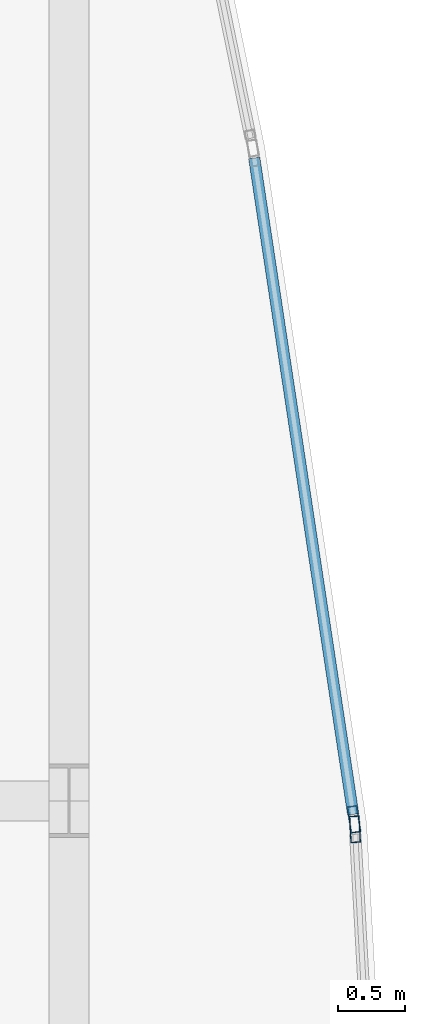
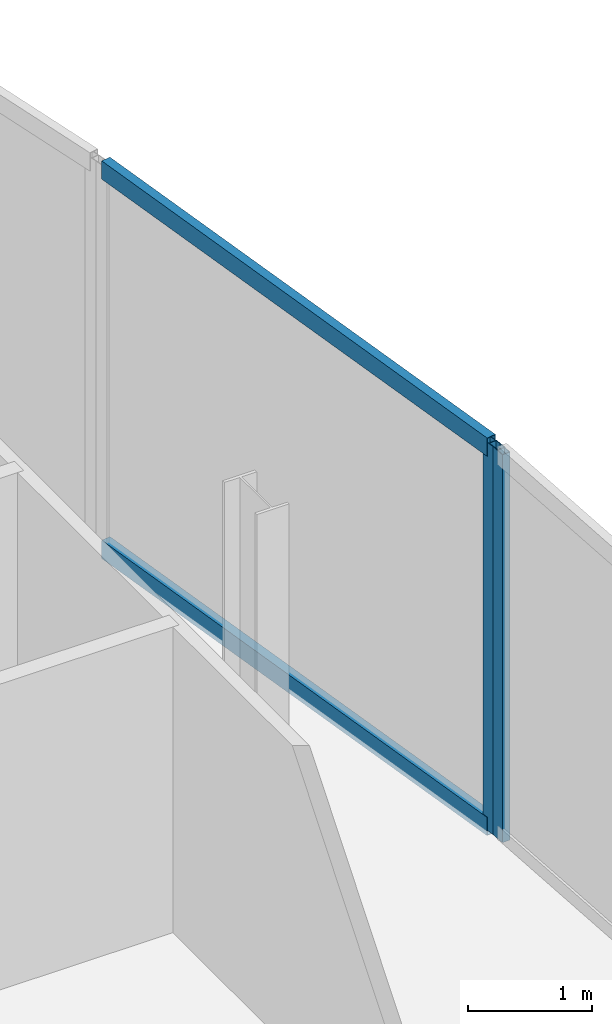
# One storey, part 24 of 36: 4 members, 2 elements without a shape of their own.
"""IFC4 building model written with IfcOpenShell, lengths in metres."""

from ifc_helpers import new_model, si_unit, direction, frame, origin, origin_2d, place, context, subcontext, project, spatial, hollow_rectangle, extrude, material, material_profile, profile_set, type_object, element, aggregate, save


model = new_model("IFC4")

# Units and contexts
model_context = context("Model", 3, precision=1e-05, world=origin(), true_north=direction((0.0, 1.0)))
body_context = subcontext(model_context, "Body", "Model", "MODEL_VIEW")
ifc_project = project(units=[si_unit("LENGTHUNIT", "METRE"), si_unit("AREAUNIT", "SQUARE_METRE"), si_unit("VOLUMEUNIT", "CUBIC_METRE"), si_unit("PLANEANGLEUNIT", "RADIAN"), si_unit("MASSUNIT", "GRAM", prefix="KILO")], contexts=[model_context])

# Site, building, storey
site_placement = place(None, origin())
site = spatial("IfcSite", under=ifc_project, at=site_placement, CompositionType="ELEMENT")
building_placement = place(site_placement, origin())
building = spatial("IfcBuilding", under=site, at=building_placement, Name="Khoronbel Lancet Exchange", CompositionType="ELEMENT")
storey_placement = place(building_placement, frame((0.0, 0.0, 57.800048828125)))
storey = spatial("IfcBuildingStorey", under=building, at=storey_placement, Name="L13", CompositionType="ELEMENT", Elevation=57.800048828125)

# Curtain wall, member
ifc_material_1 = material(Name="Low-E Solar Control Insulating Glass", Category="glass")
curtain_wall_type = type_object("IfcCurtainWallType", Name="CW-4", PredefinedType="NOTDEFINED", material=ifc_material_1)
curtain_wall_1_placement = place(storey_placement, origin())
curtain_wall_1 = element("IfcCurtainWall", 1, at=curtain_wall_1_placement, inside=storey, type_object=curtain_wall_type, Name="Unitised curtain wall CW-L13-E18", PredefinedType="NOTDEFINED")
ifc_material_2 = material(Name="Bronze-Anodised Aluminium 6063-T6", Category="aluminium")
ifc_material_profile_1 = material_profile(ifc_material_2, hollow_rectangle(XDim=0.074951171875, YDim=0.199951171875, WallThickness=0.0048828125, at=origin_2d()), Name="ALU MULLION 75x200")
ifc_profile_set_1 = profile_set([ifc_material_profile_1], Name="Bronze-Anodised Aluminium 6063-T6")
member_type_1 = type_object("IfcMemberType", Name="MEM-CWM2", PredefinedType="MULLION", material=ifc_profile_set_1)
member_1_placement = place(storey_placement, frame((73.76806640625, 35.561279296875, 0.0), z_axis=(0.0, 0.0, 1.0), x_axis=(0.988825213041, 0.149079502463, 0.0)))
member_1 = element("IfcMember", 2, at=member_1_placement, type_object=member_type_1, Name="CW4 mullion 2", PredefinedType="MULLION", context=body_context, shape_type="SweptSolid", body=[
    extrude(hollow_rectangle(XDim=0.074951171875, YDim=0.199951171875, WallThickness=0.0048828125, at=origin_2d()), origin(), (0.0, 0.0, 1.0), 3.820068359375),
])

curtain_wall_2_placement = place(storey_placement, origin())
curtain_wall_2 = element("IfcCurtainWall", 3, at=curtain_wall_2_placement, inside=storey, type_object=curtain_wall_type, Name="Unitised curtain wall CW-L13-E19", PredefinedType="NOTDEFINED")
member_2_placement = place(storey_placement, frame((73.775634765625, 35.486572265625, 0.0), z_axis=(0.0, 0.0, 1.0), x_axis=(0.998480930794, 0.055098374212, 0.0)))
member_2 = element("IfcMember", 4, at=member_2_placement, type_object=member_type_1, Name="CW4 mullion 1", PredefinedType="MULLION", context=body_context, shape_type="SweptSolid", body=[
    extrude(hollow_rectangle(XDim=0.074951171875, YDim=0.199951171875, WallThickness=0.0048828125, at=origin_2d()), origin(), (0.0, 0.0, 1.0), 3.820068359375),
])
aggregate(curtain_wall_2, [member_2])

# Member
ifc_material_profile_2 = material_profile(ifc_material_2, hollow_rectangle(XDim=0.0849609375, YDim=0.179931640625, WallThickness=0.0048828125, at=origin_2d()), Name="ALU TRANSOM 85x180")
ifc_profile_set_2 = profile_set([ifc_material_profile_2], Name="Bronze-Anodised Aluminium 6063-T6")
member_type_2 = type_object("IfcMemberType", Name="MEM-CWT1", PredefinedType="USERDEFINED", material=ifc_profile_set_2)
member_3_placement = place(storey_placement, frame((73.019287109375, 40.52685546875, 0.04248046875), z_axis=(0.149097275194, -0.988822533385, 0.0), x_axis=(0.988822533385, 0.149097275194, 0.0)))
member_3 = element("IfcMember", 5, at=member_3_placement, type_object=member_type_2, Name="CW4 transom 1.1", ObjectType="TRANSOM", PredefinedType="USERDEFINED", context=body_context, shape_type="SweptSolid", body=[
    extrude(hollow_rectangle(XDim=0.0849609375, YDim=0.179931640625, WallThickness=0.0048828125, at=origin_2d()), origin(), (0.0, 0.0, 1.0), 4.984375),
])

member_4_placement = place(storey_placement, frame((73.019287109375, 40.52685546875, 3.77734375), z_axis=(0.149097275194, -0.988822533385, 0.0), x_axis=(0.988822533385, 0.149097275194, 0.0)))
member_4 = element("IfcMember", 6, at=member_4_placement, type_object=member_type_2, Name="CW4 transom 1.2", ObjectType="TRANSOM", PredefinedType="USERDEFINED", context=body_context, shape_type="SweptSolid", body=[
    extrude(hollow_rectangle(XDim=0.0849609375, YDim=0.179931640625, WallThickness=0.0048828125, at=origin_2d()), origin(), (0.0, 0.0, 1.0), 4.984375),
])

aggregate(curtain_wall_1, [member_1, member_3, member_4])

save(model, "model.ifc")
